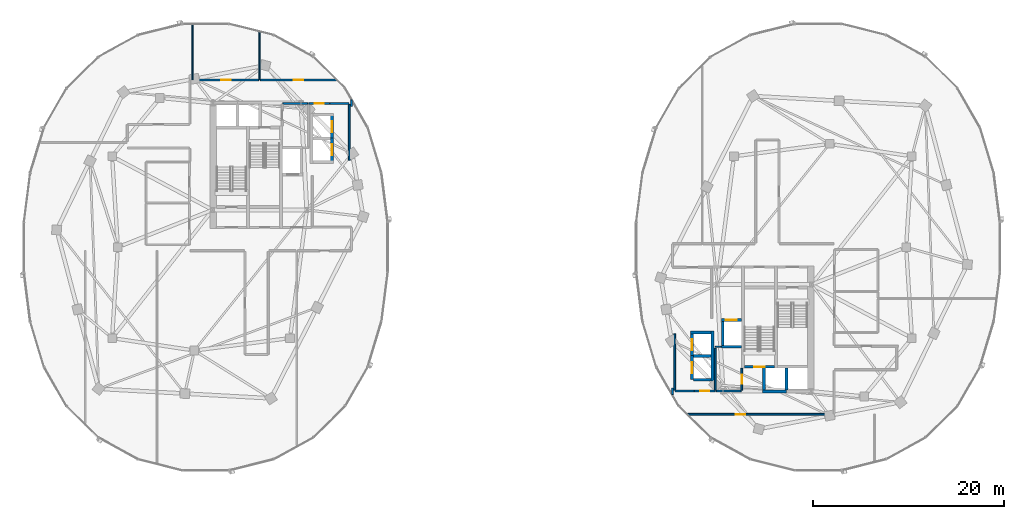
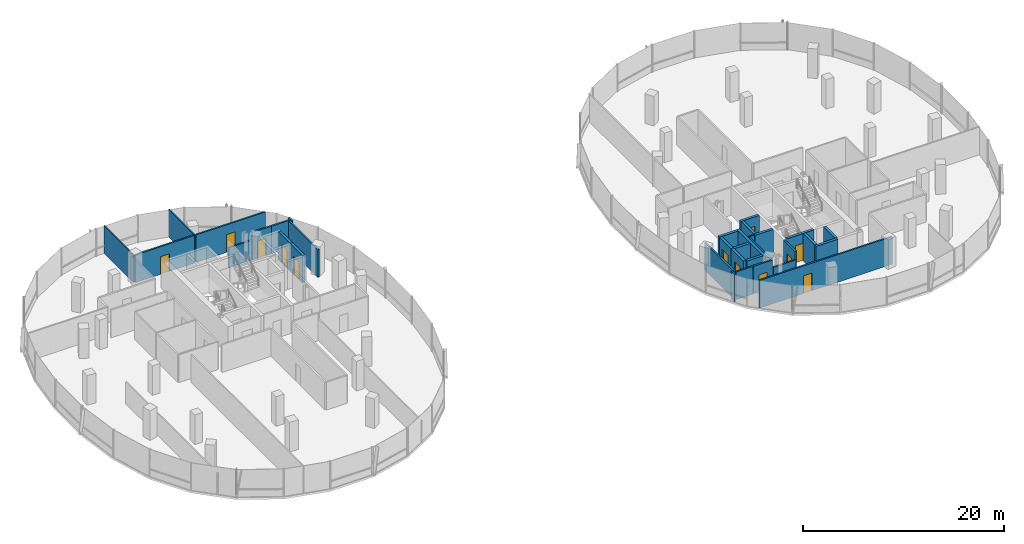
# One storey, part 13 of 22: 33 walls, 12 doors, 12 openings.
"""IFC4 building model written with IfcOpenShell, lengths in metres."""

from ifc_helpers import new_model, si_unit, direction, frame, frame_2d, origin, place, context, subcontext, project, spatial, rectangle, extrude, material, layer, layer_set, type_object, element, fill, save


model = new_model("IFC4")

# Units and contexts
model_context = context("Model", 3, precision=1e-05, world=origin(), true_north=direction((0.0, 1.0)))
body_context = subcontext(model_context, "Body", "Model", "MODEL_VIEW")
ifc_project = project(units=[si_unit("LENGTHUNIT", "METRE"), si_unit("AREAUNIT", "SQUARE_METRE"), si_unit("VOLUMEUNIT", "CUBIC_METRE"), si_unit("PLANEANGLEUNIT", "RADIAN"), si_unit("MASSUNIT", "GRAM", prefix="KILO"), si_unit("THERMODYNAMICTEMPERATUREUNIT", "KELVIN"), si_unit("POWERUNIT", "WATT")], contexts=[model_context])

# Site, building, storey
site_placement = place(None, origin())
site = spatial("IfcSite", under=ifc_project, at=site_placement, CompositionType="ELEMENT")
building_placement = place(site_placement, origin())
building = spatial("IfcBuilding", under=site, at=building_placement, Name="Cundina Bronze Exchange", CompositionType="ELEMENT")
storey_placement = place(building_placement, frame((0.0, 0.0, 136.800048828125)))
storey = spatial("IfcBuildingStorey", under=building, at=storey_placement, Name="L35", CompositionType="ELEMENT", Elevation=136.800048828125)

# Wall
ifc_material_1 = material(Name="Gypsum Fireboard Partition EI120")
ifc_layer_1 = layer(ifc_material_1, 0.179931640625, Name="Gypsum Fireboard Partition EI120")
ifc_layer_set_1 = layer_set([ifc_layer_1], Name="Gypsum Fireboard Partition EI120")
wall_type_1 = type_object("IfcWallType", Name="WL-COR-180", PredefinedType="PARTITIONING", material=ifc_layer_set_1)
wall_1_placement = place(storey_placement, frame((-17.02001953125, 9.070068359375, 0.0), z_axis=(0.0, 0.0, 1.0), x_axis=(0.0, 1.0, 0.0)))
element("IfcWall", 1, at=wall_1_placement, inside=storey, type_object=wall_type_1, Name="L35 Interior Partition 001", PredefinedType="PARTITIONING", context=body_context, shape_type="SweptSolid", body=[
    extrude(rectangle(XDim=5.85986328125, YDim=0.179931640625, at=frame_2d((2.929931640625, 0.0))), origin(), (0.0, 0.0, 1.0), 3.35986328125),
])

# Wall, opening, door
wall_2_placement = place(storey_placement, frame((-21.22998046875, 15.030029296875, 0.0), z_axis=(0.0, 0.0, 1.0), x_axis=(1.0, 0.0, 0.0)))
wall_2 = element("IfcWall", 2, at=wall_2_placement, inside=storey, type_object=wall_type_1, Name="L35 Interior Partition 002", PredefinedType="PARTITIONING", context=body_context, shape_type="SweptSolid", body=[
    extrude(rectangle(XDim=2.159912109375, YDim=0.179931640625, at=frame_2d((1.080078125, 0.0))), origin(), (0.0, 0.0, 1.0), 3.35986328125),
])
opening_1_placement = place(wall_2_placement, frame((0.60498046875, 0.0, 0.0)))
opening_1 = element("IfcOpeningElement", 3, at=opening_1_placement, cuts=wall_2, Name="Opening DW-01", PredefinedType="OPENING", context=body_context, shape_type="SweptSolid", body=[
    extrude(rectangle(XDim=0.949951171875, YDim=2.10009765625, at=frame_2d((0.47509765625, 1.050048828125))), frame((0.0, 0.099853515625, 0.0), z_axis=(0.0, -1.0, 0.0), x_axis=(1.0, 0.0, 0.0)), (0.0, 0.0, 1.0), 0.199951171875),
])
ifc_material_2 = material(Name="Solid Andean Oak Timber Grade A", Category="wood")
door_type_1 = type_object("IfcDoorType", Name="DR-WC-950", OperationType="NOTDEFINED", PredefinedType="DOOR", material=ifc_material_2)
door_1_placement = place(opening_1_placement, origin())
door_1 = element("IfcDoor", 4, at=door_1_placement, inside=storey, type_object=door_type_1, Name="L35 Interior Door 002", OperationType="SINGLE_SWING_RIGHT", OverallHeight=2.10009765625, OverallWidth=0.949951171875, PredefinedType="DOOR", context=body_context, shape_type="SweptSolid", body=[
    extrude(rectangle(XDim=0.949951171875, YDim=2.10009765625, at=frame_2d((0.47509765625, 1.050048828125))), frame((0.0, 0.02490234375, 0.0), z_axis=(0.0, -1.0, 0.0), x_axis=(1.0, 0.0, 0.0)), (0.0, 0.0, 1.0), 0.050048828125),
])
fill(opening_1, door_1)

# Walls
wall_3_placement = place(storey_placement, frame((-19.030029296875, 15.030029296875, 0.0), z_axis=(0.0, 0.0, 1.0), x_axis=(1.0, 0.0, 0.0)))
element("IfcWall", 5, at=wall_3_placement, inside=storey, type_object=wall_type_1, Name="L35 Interior Partition 003", PredefinedType="PARTITIONING", context=body_context, shape_type="SweptSolid", body=[
    extrude(rectangle(XDim=1.989990234375, YDim=0.179931640625, at=frame_2d((0.9951171875, 0.0))), origin(), (0.0, 0.0, 1.0), 3.35986328125),
])
wall_4_placement = place(storey_placement, frame((-23.9599609375, 15.030029296875, 0.0), z_axis=(0.0, 0.0, 1.0), x_axis=(1.0, 0.0, 0.0)))
element("IfcWall", 6, at=wall_4_placement, inside=storey, type_object=wall_type_1, Name="L35 Interior Partition 006", PredefinedType="PARTITIONING", context=body_context, shape_type="SweptSolid", body=[
    extrude(rectangle(XDim=2.60986328125, YDim=0.179931640625, at=frame_2d((1.304931640625, 0.0))), origin(), (0.0, 0.0, 1.0), 2.432861328125),
])
wall_5_placement = place(storey_placement, frame((-16.780029296875, 14.721435546875, 0.0), z_axis=(0.0, 0.0, 1.0), x_axis=(0.0, 1.0, 0.0)))
element("IfcWall", 7, at=wall_5_placement, inside=storey, type_object=wall_type_1, Name="L35 Interior Partition 032", PredefinedType="PARTITIONING", context=body_context, shape_type="SweptSolid", body=[
    extrude(rectangle(XDim=0.68359375, YDim=0.179931640625, at=frame_2d((0.341796875, 0.0))), origin(), (0.0, 0.0, 1.0), 3.35986328125),
])

# Wall, opening, door
wall_6_placement = place(storey_placement, frame((-18.341796875, 17.469970703125, 0.0), z_axis=(0.0, 0.0, 1.0), x_axis=(-1.0, 0.0, 0.0)))
wall_6 = element("IfcWall", 8, at=wall_6_placement, inside=storey, type_object=wall_type_1, Name="L35 Interior Partition 036", PredefinedType="PARTITIONING", context=body_context, shape_type="SweptSolid", body=[
    extrude(rectangle(XDim=7.96826171875, YDim=0.179931640625, at=frame_2d((3.984130859375, 0.0))), origin(), (0.0, 0.0, 1.0), 3.35986328125),
])
opening_2_placement = place(wall_6_placement, frame((3.484130859375, 0.0, 0.0)))
opening_2 = element("IfcOpeningElement", 9, at=opening_2_placement, cuts=wall_6, Name="Opening DO-01", PredefinedType="OPENING", context=body_context, shape_type="SweptSolid", body=[
    extrude(rectangle(XDim=1.0, YDim=2.14990234375, at=frame_2d((0.5, 1.074951171875))), frame((0.0, 0.099853515625, 0.0), z_axis=(0.0, -1.0, 0.0), x_axis=(1.0, 0.0, 0.0)), (0.0, 0.0, 1.0), 0.199951171875),
])
door_type_2 = type_object("IfcDoorType", Name="DR-OFF-1000", OperationType="NOTDEFINED", PredefinedType="DOOR", material=ifc_material_2)
door_2_placement = place(opening_2_placement, origin())
door_2 = element("IfcDoor", 10, at=door_2_placement, inside=storey, type_object=door_type_2, Name="L35 Interior Door 036", OperationType="SINGLE_SWING_RIGHT", OverallHeight=2.14990234375, OverallWidth=1.0, PredefinedType="DOOR", context=body_context, shape_type="SweptSolid", body=[
    extrude(rectangle(XDim=1.0, YDim=2.14990234375, at=frame_2d((0.5, 1.074951171875))), frame((0.0, 0.02490234375, 0.0), z_axis=(0.0, -1.0, 0.0), x_axis=(1.0, 0.0, 0.0)), (0.0, 0.0, 1.0), 0.050048828125),
])
fill(opening_2, door_2)

wall_7_placement = place(storey_placement, frame((-26.489990234375, 17.469970703125, 0.0), z_axis=(0.0, 0.0, 1.0), x_axis=(-1.0, 0.0, 0.0)))
wall_7 = element("IfcWall", 11, at=wall_7_placement, inside=storey, type_object=wall_type_1, Name="L35 Interior Partition 037", PredefinedType="PARTITIONING", context=body_context, shape_type="SweptSolid", body=[
    extrude(rectangle(XDim=6.820068359375, YDim=0.179931640625, at=frame_2d((3.41015625, 0.0))), origin(), (0.0, 0.0, 1.0), 3.35986328125),
])
opening_3_placement = place(wall_7_placement, frame((2.909912109375, 0.0, 0.0)))
opening_3 = element("IfcOpeningElement", 12, at=opening_3_placement, cuts=wall_7, Name="Opening DO-01", PredefinedType="OPENING", context=body_context, shape_type="SweptSolid", body=[
    extrude(rectangle(XDim=1.0, YDim=2.14990234375, at=frame_2d((0.5, 1.074951171875))), frame((0.0, 0.099853515625, 0.0), z_axis=(0.0, -1.0, 0.0), x_axis=(1.0, 0.0, 0.0)), (0.0, 0.0, 1.0), 0.199951171875),
])
door_3_placement = place(opening_3_placement, origin())
door_3 = element("IfcDoor", 13, at=door_3_placement, inside=storey, type_object=door_type_2, Name="L35 Interior Door 037", OperationType="SINGLE_SWING_LEFT", OverallHeight=2.14990234375, OverallWidth=1.0, PredefinedType="DOOR", context=body_context, shape_type="SweptSolid", body=[
    extrude(rectangle(XDim=1.0, YDim=2.14990234375, at=frame_2d((0.5, 1.074951171875))), frame((0.0, 0.02490234375, 0.0), z_axis=(0.0, -1.0, 0.0), x_axis=(1.0, 0.0, 0.0)), (0.0, 0.0, 1.0), 0.050048828125),
])
fill(opening_3, door_3)

# Walls
wall_8_placement = place(storey_placement, frame((17.02001953125, -14.929931640625, 0.0), z_axis=(0.0, 0.0, 1.0), x_axis=(0.0, 1.0, 0.0)))
element("IfcWall", 14, at=wall_8_placement, inside=storey, type_object=wall_type_1, Name="L35 Interior Partition 038", PredefinedType="PARTITIONING", context=body_context, shape_type="SweptSolid", body=[
    extrude(rectangle(XDim=5.85986328125, YDim=0.179931640625, at=frame_2d((2.929931640625, 0.0))), origin(), (0.0, 0.0, 1.0), 3.35986328125),
])
wall_9_placement = place(storey_placement, frame((17.0400390625, -15.030029296875, 0.0), z_axis=(0.0, 0.0, 1.0), x_axis=(1.0, 0.0, 0.0)))
element("IfcWall", 15, at=wall_9_placement, inside=storey, type_object=wall_type_1, Name="L35 Interior Partition 039", PredefinedType="PARTITIONING", context=body_context, shape_type="SweptSolid", body=[
    extrude(rectangle(XDim=1.989990234375, YDim=0.179931640625, at=frame_2d((0.9951171875, 0.0))), origin(), (0.0, 0.0, 1.0), 3.35986328125),
])

# Wall, opening, door
wall_10_placement = place(storey_placement, frame((21.22998046875, -15.030029296875, 0.0), z_axis=(0.0, 0.0, 1.0), x_axis=(-1.0, 0.0, 0.0)))
wall_10 = element("IfcWall", 16, at=wall_10_placement, inside=storey, type_object=wall_type_1, Name="L35 Interior Partition 040", PredefinedType="PARTITIONING", context=body_context, shape_type="SweptSolid", body=[
    extrude(rectangle(XDim=2.159912109375, YDim=0.179931640625, at=frame_2d((1.080078125, 0.0))), origin(), (0.0, 0.0, 1.0), 3.35986328125),
])
opening_4_placement = place(wall_10_placement, frame((0.60498046875, 0.0, 0.0)))
opening_4 = element("IfcOpeningElement", 17, at=opening_4_placement, cuts=wall_10, Name="Opening DW-01", PredefinedType="OPENING", context=body_context, shape_type="SweptSolid", body=[
    extrude(rectangle(XDim=0.949951171875, YDim=2.10009765625, at=frame_2d((0.47509765625, 1.050048828125))), frame((0.0, 0.099853515625, 0.0), z_axis=(0.0, -1.0, 0.0), x_axis=(1.0, 0.0, 0.0)), (0.0, 0.0, 1.0), 0.199951171875),
])
door_4_placement = place(opening_4_placement, origin())
door_4 = element("IfcDoor", 18, at=door_4_placement, inside=storey, type_object=door_type_1, Name="L35 Interior Door 040", OperationType="SINGLE_SWING_LEFT", OverallHeight=2.10009765625, OverallWidth=0.949951171875, PredefinedType="DOOR", context=body_context, shape_type="SweptSolid", body=[
    extrude(rectangle(XDim=0.949951171875, YDim=2.10009765625, at=frame_2d((0.47509765625, 1.050048828125))), frame((0.0, 0.02490234375, 0.0), z_axis=(0.0, -1.0, 0.0), x_axis=(1.0, 0.0, 0.0)), (0.0, 0.0, 1.0), 0.050048828125),
])
fill(opening_4, door_4)

# Walls
wall_11_placement = place(storey_placement, frame((21.25, -14.929931640625, 0.0), z_axis=(0.0, 0.0, 1.0), x_axis=(0.0, 1.0, 0.0)))
element("IfcWall", 19, at=wall_11_placement, inside=storey, type_object=wall_type_1, Name="L35 Interior Partition 042", PredefinedType="PARTITIONING", context=body_context, shape_type="SweptSolid", body=[
    extrude(rectangle(XDim=4.35986328125, YDim=0.179931640625, at=frame_2d((2.179931640625, 0.0))), origin(), (0.0, 0.0, 1.0), 3.35986328125),
])
wall_12_placement = place(storey_placement, frame((21.35009765625, -15.030029296875, 0.0), z_axis=(0.0, 0.0, 1.0), x_axis=(1.0, 0.0, 0.0)))
element("IfcWall", 20, at=wall_12_placement, inside=storey, type_object=wall_type_1, Name="L35 Interior Partition 043", PredefinedType="PARTITIONING", context=body_context, shape_type="SweptSolid", body=[
    extrude(rectangle(XDim=2.60986328125, YDim=0.179931640625, at=frame_2d((1.304931640625, 0.0))), origin(), (0.0, 0.0, 1.0), 2.432861328125),
])

# Wall, opening, door
wall_13_placement = place(storey_placement, frame((24.02001953125, -14.929931640625, 0.0), z_axis=(0.0, 0.0, 1.0), x_axis=(0.0, 1.0, 0.0)))
wall_13 = element("IfcWall", 21, at=wall_13_placement, inside=storey, type_object=wall_type_1, Name="L35 Interior Partition 045", PredefinedType="PARTITIONING", context=body_context, shape_type="SweptSolid", body=[
    extrude(rectangle(XDim=2.260009765625, YDim=0.179931640625, at=frame_2d((1.1298828125, 0.0))), origin(), (0.0, 0.0, 1.0), 3.35986328125),
])
opening_5_placement = place(wall_13_placement, frame((0.655029296875, 0.0, 0.0)))
opening_5 = element("IfcOpeningElement", 22, at=opening_5_placement, cuts=wall_13, Name="Opening DW-01", PredefinedType="OPENING", context=body_context, shape_type="SweptSolid", body=[
    extrude(rectangle(XDim=0.949951171875, YDim=2.10009765625, at=frame_2d((0.47509765625, 1.050048828125))), frame((0.0, 0.099853515625, 0.0), z_axis=(0.0, -1.0, 0.0), x_axis=(1.0, 0.0, 0.0)), (0.0, 0.0, 1.0), 0.199951171875),
])
door_5_placement = place(opening_5_placement, origin())
door_5 = element("IfcDoor", 23, at=door_5_placement, inside=storey, type_object=door_type_1, Name="L35 Interior Door 045", OperationType="SINGLE_SWING_LEFT", OverallHeight=2.10009765625, OverallWidth=0.949951171875, PredefinedType="DOOR", context=body_context, shape_type="SweptSolid", body=[
    extrude(rectangle(XDim=0.949951171875, YDim=2.10009765625, at=frame_2d((0.47509765625, 1.050048828125))), frame((0.0, 0.02490234375, 0.0), z_axis=(0.0, -1.0, 0.0), x_axis=(1.0, 0.0, 0.0)), (0.0, 0.0, 1.0), 0.050048828125),
])
fill(opening_5, door_5)

wall_14_placement = place(storey_placement, frame((18.341796875, -17.469970703125, 0.0), z_axis=(0.0, 0.0, 1.0), x_axis=(1.0, 0.0, 0.0)))
wall_14 = element("IfcWall", 24, at=wall_14_placement, inside=storey, type_object=wall_type_1, Name="L35 Interior Partition 057", PredefinedType="PARTITIONING", context=body_context, shape_type="SweptSolid", body=[
    extrude(rectangle(XDim=15.28662109375, YDim=0.179931640625, at=frame_2d((7.643310546875, 0.0))), origin(), (0.0, 0.0, 1.0), 3.35986328125),
])
opening_6_placement = place(wall_14_placement, frame((5.036376953125, 0.0, 0.0)))
opening_6 = element("IfcOpeningElement", 25, at=opening_6_placement, cuts=wall_14, Name="Opening DO-01", PredefinedType="OPENING", context=body_context, shape_type="SweptSolid", body=[
    extrude(rectangle(XDim=1.0, YDim=2.14990234375, at=frame_2d((0.5, 1.074951171875))), frame((0.0, 0.099853515625, 0.0), z_axis=(0.0, -1.0, 0.0), x_axis=(1.0, 0.0, 0.0)), (0.0, 0.0, 1.0), 0.199951171875),
])
door_6_placement = place(opening_6_placement, origin())
door_6 = element("IfcDoor", 26, at=door_6_placement, inside=storey, type_object=door_type_2, Name="L35 Interior Door 057", OperationType="SINGLE_SWING_LEFT", OverallHeight=2.14990234375, OverallWidth=1.0, PredefinedType="DOOR", context=body_context, shape_type="SweptSolid", body=[
    extrude(rectangle(XDim=1.0, YDim=2.14990234375, at=frame_2d((0.5, 1.074951171875))), frame((0.0, 0.02490234375, 0.0), z_axis=(0.0, -1.0, 0.0), x_axis=(1.0, 0.0, 0.0)), (0.0, 0.0, 1.0), 0.050048828125),
])
fill(opening_6, door_6)

# Walls
wall_15_placement = place(storey_placement, frame((16.780029296875, -14.721435546875, 0.0), z_axis=(0.0, 0.0, 1.0), x_axis=(0.0, -1.0, 0.0)))
element("IfcWall", 27, at=wall_15_placement, inside=storey, type_object=wall_type_1, Name="L35 Interior Partition 066", PredefinedType="PARTITIONING", context=body_context, shape_type="SweptSolid", body=[
    extrude(rectangle(XDim=0.68359375, YDim=0.179931640625, at=frame_2d((0.341796875, 0.0))), origin(), (0.0, 0.0, 1.0), 3.35986328125),
])
ifc_material_3 = material(Name="Gypsum Acoustic Partition EI60")
ifc_layer_2 = layer(ifc_material_3, 0.125, Name="Gypsum Acoustic Partition EI60")
ifc_layer_set_2 = layer_set([ifc_layer_2], Name="Gypsum Acoustic Partition EI60")
wall_type_2 = type_object("IfcWallType", Name="WL-OFF-125", PredefinedType="PARTITIONING", material=ifc_layer_set_2)
wall_16_placement = place(storey_placement, frame((-33.39990234375, 17.5, 0.0), z_axis=(0.0, 0.0, 1.0), x_axis=(0.0, 1.0, 0.0)))
element("IfcWall", 28, at=wall_16_placement, inside=storey, type_object=wall_type_2, Name="L35 Interior Partition 020", PredefinedType="PARTITIONING", context=body_context, shape_type="SweptSolid", body=[
    extrude(rectangle(XDim=5.902099609375, YDim=0.125, at=frame_2d((2.951171875, 0.0))), origin(), (0.0, 0.0, 1.0), 3.35986328125),
])
wall_17_placement = place(storey_placement, frame((-26.39990234375, 17.5, 0.0), z_axis=(0.0, 0.0, 1.0), x_axis=(0.0, 1.0, 0.0)))
element("IfcWall", 29, at=wall_17_placement, inside=storey, type_object=wall_type_2, Name="L35 Interior Partition 021", PredefinedType="PARTITIONING", context=body_context, shape_type="SweptSolid", body=[
    extrude(rectangle(XDim=5.111083984375, YDim=0.125, at=frame_2d((2.5556640625, 0.0))), origin(), (0.0, 0.0, 1.0), 3.35986328125),
])

# Wall, opening, door
ifc_material_4 = material(Name="Concrete C50/60", Category="concrete")
ifc_layer_3 = layer(ifc_material_4, 0.300048828125, Name="Concrete C50/60", Category="concrete")
ifc_layer_set_3 = layer_set([ifc_layer_3], Name="Concrete C50/60")
wall_type_3 = type_object("IfcWallType", Name="WL-SHFT-300", PredefinedType="SHEAR", material=ifc_layer_set_3)
wall_18_placement = place(storey_placement, frame((-18.800048828125, 8.929931640625, 0.0), z_axis=(0.0, 0.0, 1.0), x_axis=(0.0, 1.0, 0.0)))
wall_18 = element("IfcWall", 30, at=wall_18_placement, inside=storey, type_object=wall_type_3, Name="L35 PM-W2 Hoistway Front Wall", PredefinedType="SHEAR", context=body_context, shape_type="SweptSolid", body=[
    extrude(rectangle(XDim=2.489990234375, YDim=0.300048828125, at=frame_2d((1.2451171875, 0.0))), origin(), (0.0, 0.0, 1.0), 3.35986328125),
])
opening_7_placement = place(wall_18_placement, frame((0.669921875, 0.0, 0.0)))
opening_7 = element("IfcOpeningElement", 31, at=opening_7_placement, cuts=wall_18, Name="Opening LD-01", PredefinedType="OPENING", context=body_context, shape_type="SweptSolid", body=[
    extrude(rectangle(XDim=1.14990234375, YDim=2.199951171875, at=frame_2d((0.574951171875, 1.10009765625))), frame((0.0, 0.159912109375, 0.0), z_axis=(0.0, -1.0, 0.0), x_axis=(1.0, 0.0, 0.0)), (0.0, 0.0, 1.0), 0.320068359375),
])
ifc_material_5 = material(Name="Steel ASTM A36 Painted", Category="steel")
door_type_3 = type_object("IfcDoorType", Name="DR-LND-1150", OperationType="NOTDEFINED", PredefinedType="TRAPDOOR", material=ifc_material_5)
door_7_placement = place(opening_7_placement, origin())
door_7 = element("IfcDoor", 32, at=door_7_placement, inside=storey, type_object=door_type_3, Name="L35 PM-W2 Sliding Landing Door", OperationType="SLIDING_TO_LEFT", OverallHeight=2.199951171875, OverallWidth=1.14990234375, PredefinedType="TRAPDOOR", context=body_context, shape_type="SweptSolid", body=[
    extrude(rectangle(XDim=1.14990234375, YDim=2.199951171875, at=frame_2d((0.574951171875, 1.10009765625))), frame((0.0, 0.02490234375, 0.0), z_axis=(0.0, -1.0, 0.0), x_axis=(1.0, 0.0, 0.0)), (0.0, 0.0, 1.0), 0.050048828125),
])
fill(opening_7, door_7)

wall_19_placement = place(storey_placement, frame((-18.800048828125, 11.330078125, 0.0), z_axis=(0.0, 0.0, 1.0), x_axis=(0.0, 1.0, 0.0)))
wall_19 = element("IfcWall", 33, at=wall_19_placement, inside=storey, type_object=wall_type_3, Name="L35 PM-W1 Hoistway Front Wall", PredefinedType="SHEAR", context=body_context, shape_type="SweptSolid", body=[
    extrude(rectangle(XDim=2.489990234375, YDim=0.300048828125, at=frame_2d((1.2451171875, 0.0))), origin(), (0.0, 0.0, 1.0), 3.35986328125),
])
opening_8_placement = place(wall_19_placement, frame((0.669921875, 0.0, 0.0)))
opening_8 = element("IfcOpeningElement", 34, at=opening_8_placement, cuts=wall_19, Name="Opening LD-01", PredefinedType="OPENING", context=body_context, shape_type="SweptSolid", body=[
    extrude(rectangle(XDim=1.14990234375, YDim=2.199951171875, at=frame_2d((0.574951171875, 1.10009765625))), frame((0.0, 0.159912109375, 0.0), z_axis=(0.0, -1.0, 0.0), x_axis=(1.0, 0.0, 0.0)), (0.0, 0.0, 1.0), 0.320068359375),
])
door_8_placement = place(opening_8_placement, origin())
door_8 = element("IfcDoor", 35, at=door_8_placement, inside=storey, type_object=door_type_3, Name="L35 PM-W1 Sliding Landing Door", OperationType="SLIDING_TO_LEFT", OverallHeight=2.199951171875, OverallWidth=1.14990234375, PredefinedType="TRAPDOOR", context=body_context, shape_type="SweptSolid", body=[
    extrude(rectangle(XDim=1.14990234375, YDim=2.199951171875, at=frame_2d((0.574951171875, 1.10009765625))), frame((0.0, 0.02490234375, 0.0), z_axis=(0.0, -1.0, 0.0), x_axis=(1.0, 0.0, 0.0)), (0.0, 0.0, 1.0), 0.050048828125),
])
fill(opening_8, door_8)

wall_20_placement = place(storey_placement, frame((24.280029296875, -12.5, 0.0), z_axis=(0.0, 0.0, 1.0), x_axis=(1.0, 0.0, 0.0)))
wall_20 = element("IfcWall", 36, at=wall_20_placement, inside=storey, type_object=wall_type_3, Name="L35 Stair E2 Landing Wall", PredefinedType="SHEAR", context=body_context, shape_type="SweptSolid", body=[
    extrude(rectangle(XDim=3.159912109375, YDim=0.300048828125, at=frame_2d((1.580078125, 0.0))), origin(), (0.0, 0.0, 1.0), 3.35986328125),
])
opening_9_placement = place(wall_20_placement, frame((1.030029296875, 0.0, 0.0)))
opening_9 = element("IfcOpeningElement", 37, at=opening_9_placement, cuts=wall_20, Name="Opening DS-01", PredefinedType="OPENING", context=body_context, shape_type="SweptSolid", body=[
    extrude(rectangle(XDim=1.10009765625, YDim=2.14990234375, at=frame_2d((0.550048828125, 1.074951171875))), frame((0.0, 0.159912109375, 0.0), z_axis=(0.0, -1.0, 0.0), x_axis=(1.0, 0.0, 0.0)), (0.0, 0.0, 1.0), 0.320068359375),
])
door_type_4 = type_object("IfcDoorType", Name="DR-STR-1100", OperationType="NOTDEFINED", PredefinedType="DOOR", material=ifc_material_5)
door_9_placement = place(opening_9_placement, origin())
door_9 = element("IfcDoor", 38, at=door_9_placement, inside=storey, type_object=door_type_4, Name="L35 Smokeproof Stair E2 Door", OperationType="SINGLE_SWING_RIGHT", OverallHeight=2.14990234375, OverallWidth=1.10009765625, PredefinedType="DOOR", context=body_context, shape_type="SweptSolid", body=[
    extrude(rectangle(XDim=1.10009765625, YDim=2.14990234375, at=frame_2d((0.550048828125, 1.074951171875))), frame((0.0, 0.02490234375, 0.0), z_axis=(0.0, -1.0, 0.0), x_axis=(1.0, 0.0, 0.0)), (0.0, 0.0, 1.0), 0.050048828125),
])
fill(opening_9, door_9)

wall_21_placement = place(storey_placement, frame((21.8798828125, -7.60009765625, 0.0), z_axis=(0.0, 0.0, 1.0), x_axis=(1.0, 0.0, 0.0)))
wall_21 = element("IfcWall", 39, at=wall_21_placement, inside=storey, type_object=wall_type_3, Name="L35 FFL-E Hoistway Front Wall", PredefinedType="SHEAR", context=body_context, shape_type="SweptSolid", body=[
    extrude(rectangle(XDim=2.10009765625, YDim=0.300048828125, at=frame_2d((1.050048828125, 0.0))), origin(), (0.0, 0.0, 1.0), 3.35986328125),
])
opening_10_placement = place(wall_21_placement, frame((0.47509765625, 0.0, 0.0)))
opening_10 = element("IfcOpeningElement", 40, at=opening_10_placement, cuts=wall_21, Name="Opening LD-01", PredefinedType="OPENING", context=body_context, shape_type="SweptSolid", body=[
    extrude(rectangle(XDim=1.14990234375, YDim=2.199951171875, at=frame_2d((0.574951171875, 1.10009765625))), frame((0.0, 0.159912109375, 0.0), z_axis=(0.0, -1.0, 0.0), x_axis=(1.0, 0.0, 0.0)), (0.0, 0.0, 1.0), 0.320068359375),
])
door_10_placement = place(opening_10_placement, origin())
door_10 = element("IfcDoor", 41, at=door_10_placement, inside=storey, type_object=door_type_3, Name="L35 FFL-E Sliding Landing Door", OperationType="SLIDING_TO_LEFT", OverallHeight=2.199951171875, OverallWidth=1.14990234375, PredefinedType="TRAPDOOR", context=body_context, shape_type="SweptSolid", body=[
    extrude(rectangle(XDim=1.14990234375, YDim=2.199951171875, at=frame_2d((0.574951171875, 1.10009765625))), frame((0.0, 0.02490234375, 0.0), z_axis=(0.0, -1.0, 0.0), x_axis=(1.0, 0.0, 0.0)), (0.0, 0.0, 1.0), 0.050048828125),
])
fill(opening_10, door_10)

# Walls
wall_22_placement = place(storey_placement, frame((21.8798828125, -10.39990234375, 0.0), z_axis=(0.0, 0.0, 1.0), x_axis=(1.0, 0.0, 0.0)))
element("IfcWall", 42, at=wall_22_placement, inside=storey, type_object=wall_type_3, Name="L35 FFL-E Hoistway Back Wall", PredefinedType="SHEAR", context=body_context, shape_type="SweptSolid", body=[
    extrude(rectangle(XDim=2.10009765625, YDim=0.300048828125, at=frame_2d((1.050048828125, 0.0))), origin(), (0.0, 0.0, 1.0), 3.35986328125),
])
wall_23_placement = place(storey_placement, frame((22.030029296875, -10.25, 0.0), z_axis=(0.0, 0.0, 1.0), x_axis=(0.0, 1.0, 0.0)))
element("IfcWall", 43, at=wall_23_placement, inside=storey, type_object=wall_type_3, Name="L35 FFL-E Hoistway Side Wall", PredefinedType="SHEAR", context=body_context, shape_type="SweptSolid", body=[
    extrude(rectangle(XDim=2.5, YDim=0.300048828125, at=frame_2d((1.25, 0.0))), origin(), (0.0, 0.0, 1.0), 3.35986328125),
])
wall_24_placement = place(storey_placement, frame((28.699951171875, -14.949951171875, 0.0), z_axis=(0.0, 0.0, 1.0), x_axis=(0.0, 1.0, 0.0)))
element("IfcWall", 44, at=wall_24_placement, inside=storey, type_object=wall_type_3, Name="L35 PH-E1 Hoistway Divider Wall", PredefinedType="SHEAR", context=body_context, shape_type="SweptSolid", body=[
    extrude(rectangle(XDim=2.300048828125, YDim=0.300048828125, at=frame_2d((1.14990234375, 0.0))), origin(), (0.0, 0.0, 1.0), 3.35986328125),
])
wall_25_placement = place(storey_placement, frame((26.199951171875, -15.10009765625, 0.0), z_axis=(0.0, 0.0, 1.0), x_axis=(1.0, 0.0, 0.0)))
element("IfcWall", 45, at=wall_25_placement, inside=storey, type_object=wall_type_3, Name="L35 PH-E2 Hoistway Front Wall", PredefinedType="SHEAR", context=body_context, shape_type="SweptSolid", body=[
    extrude(rectangle(XDim=2.5, YDim=0.300048828125, at=frame_2d((1.25, 0.0))), origin(), (0.0, 0.0, 1.0), 3.35986328125),
])
wall_26_placement = place(storey_placement, frame((26.35009765625, -14.949951171875, 0.0), z_axis=(0.0, 0.0, 1.0), x_axis=(0.0, 1.0, 0.0)))
element("IfcWall", 46, at=wall_26_placement, inside=storey, type_object=wall_type_3, Name="L35 PH-E2 Hoistway Divider Wall", PredefinedType="SHEAR", context=body_context, shape_type="SweptSolid", body=[
    extrude(rectangle(XDim=2.300048828125, YDim=0.300048828125, at=frame_2d((1.14990234375, 0.0))), origin(), (0.0, 0.0, 1.0), 3.35986328125),
])
wall_27_placement = place(storey_placement, frame((20.949951171875, -14.0, 0.0), z_axis=(0.0, 0.0, 1.0), x_axis=(0.0, 1.0, 0.0)))
element("IfcWall", 47, at=wall_27_placement, inside=storey, type_object=wall_type_3, Name="L35 E Passenger Bank Hoistway Back Wall", PredefinedType="SHEAR", context=body_context, shape_type="SweptSolid", body=[
    extrude(rectangle(XDim=5.25, YDim=0.300048828125, at=frame_2d((2.625, 0.0))), origin(), (0.0, 0.0, 1.0), 3.35986328125),
])
wall_28_placement = place(storey_placement, frame((18.949951171875, -13.85009765625, 0.0), z_axis=(0.0, 0.0, 1.0), x_axis=(1.0, 0.0, 0.0)))
element("IfcWall", 48, at=wall_28_placement, inside=storey, type_object=wall_type_3, Name="L35 E Passenger Bank South Cap Wall", PredefinedType="SHEAR", context=body_context, shape_type="SweptSolid", body=[
    extrude(rectangle(XDim=1.85009765625, YDim=0.300048828125, at=frame_2d((0.925048828125, 0.0))), origin(), (0.0, 0.0, 1.0), 3.35986328125),
])
wall_29_placement = place(storey_placement, frame((18.64990234375, -8.89990234375, 0.0), z_axis=(0.0, 0.0, 1.0), x_axis=(1.0, 0.0, 0.0)))
element("IfcWall", 49, at=wall_29_placement, inside=storey, type_object=wall_type_3, Name="L35 E Passenger Bank North Cap Wall", PredefinedType="SHEAR", context=body_context, shape_type="SweptSolid", body=[
    extrude(rectangle(XDim=2.150146484375, YDim=0.300048828125, at=frame_2d((1.0751953125, 0.0))), origin(), (0.0, 0.0, 1.0), 3.35986328125),
])
wall_30_placement = place(storey_placement, frame((18.949951171875, -11.375, 0.0), z_axis=(0.0, 0.0, 1.0), x_axis=(1.0, 0.0, 0.0)))
element("IfcWall", 50, at=wall_30_placement, inside=storey, type_object=wall_type_3, Name="L35 E Passenger Hoistway Divider 1", PredefinedType="SHEAR", context=body_context, shape_type="SweptSolid", body=[
    extrude(rectangle(XDim=1.85009765625, YDim=0.300048828125, at=frame_2d((0.925048828125, 0.0))), origin(), (0.0, 0.0, 1.0), 3.35986328125),
])

# Wall, opening, door
wall_31_placement = place(storey_placement, frame((18.800048828125, -13.820068359375, 0.0), z_axis=(0.0, 0.0, 1.0), x_axis=(0.0, 1.0, 0.0)))
wall_31 = element("IfcWall", 51, at=wall_31_placement, inside=storey, type_object=wall_type_3, Name="L35 PM-E1 Hoistway Front Wall", PredefinedType="SHEAR", context=body_context, shape_type="SweptSolid", body=[
    extrude(rectangle(XDim=2.489990234375, YDim=0.300048828125, at=frame_2d((1.2451171875, 0.0))), origin(), (0.0, 0.0, 1.0), 3.35986328125),
])
opening_11_placement = place(wall_31_placement, frame((0.669921875, 0.0, 0.0)))
opening_11 = element("IfcOpeningElement", 52, at=opening_11_placement, cuts=wall_31, Name="Opening LD-01", PredefinedType="OPENING", context=body_context, shape_type="SweptSolid", body=[
    extrude(rectangle(XDim=1.14990234375, YDim=2.199951171875, at=frame_2d((0.574951171875, 1.10009765625))), frame((0.0, 0.159912109375, 0.0), z_axis=(0.0, -1.0, 0.0), x_axis=(1.0, 0.0, 0.0)), (0.0, 0.0, 1.0), 0.320068359375),
])
door_11_placement = place(opening_11_placement, origin())
door_11 = element("IfcDoor", 53, at=door_11_placement, inside=storey, type_object=door_type_3, Name="L35 PM-E1 Sliding Landing Door", OperationType="SLIDING_TO_LEFT", OverallHeight=2.199951171875, OverallWidth=1.14990234375, PredefinedType="TRAPDOOR", context=body_context, shape_type="SweptSolid", body=[
    extrude(rectangle(XDim=1.14990234375, YDim=2.199951171875, at=frame_2d((0.574951171875, 1.10009765625))), frame((0.0, 0.02490234375, 0.0), z_axis=(0.0, -1.0, 0.0), x_axis=(1.0, 0.0, 0.0)), (0.0, 0.0, 1.0), 0.050048828125),
])
fill(opening_11, door_11)

wall_32_placement = place(storey_placement, frame((18.800048828125, -11.419921875, 0.0), z_axis=(0.0, 0.0, 1.0), x_axis=(0.0, 1.0, 0.0)))
wall_32 = element("IfcWall", 54, at=wall_32_placement, inside=storey, type_object=wall_type_3, Name="L35 PM-E2 Hoistway Front Wall", PredefinedType="SHEAR", context=body_context, shape_type="SweptSolid", body=[
    extrude(rectangle(XDim=2.489990234375, YDim=0.300048828125, at=frame_2d((1.2451171875, 0.0))), origin(), (0.0, 0.0, 1.0), 3.35986328125),
])
opening_12_placement = place(wall_32_placement, frame((0.669921875, 0.0, 0.0)))
opening_12 = element("IfcOpeningElement", 55, at=opening_12_placement, cuts=wall_32, Name="Opening LD-01", PredefinedType="OPENING", context=body_context, shape_type="SweptSolid", body=[
    extrude(rectangle(XDim=1.14990234375, YDim=2.199951171875, at=frame_2d((0.574951171875, 1.10009765625))), frame((0.0, 0.159912109375, 0.0), z_axis=(0.0, -1.0, 0.0), x_axis=(1.0, 0.0, 0.0)), (0.0, 0.0, 1.0), 0.320068359375),
])
door_12_placement = place(opening_12_placement, origin())
door_12 = element("IfcDoor", 56, at=door_12_placement, inside=storey, type_object=door_type_3, Name="L35 PM-E2 Sliding Landing Door", OperationType="SLIDING_TO_LEFT", OverallHeight=2.199951171875, OverallWidth=1.14990234375, PredefinedType="TRAPDOOR", context=body_context, shape_type="SweptSolid", body=[
    extrude(rectangle(XDim=1.14990234375, YDim=2.199951171875, at=frame_2d((0.574951171875, 1.10009765625))), frame((0.0, 0.02490234375, 0.0), z_axis=(0.0, -1.0, 0.0), x_axis=(1.0, 0.0, 0.0)), (0.0, 0.0, 1.0), 0.050048828125),
])
fill(opening_12, door_12)

# Wall
ifc_material_6 = material(Name="Moisture-Resistant Masonry Block Grade M15", Category="masonry")
ifc_layer_4 = layer(ifc_material_6, 0.139892578125, Name="Moisture-Resistant Masonry Block Grade M15", Category="masonry")
ifc_layer_set_4 = layer_set([ifc_layer_4], Name="Moisture-Resistant Masonry Block Grade M15")
wall_type_4 = type_object("IfcWallType", Name="WL-WET-140", PredefinedType="PARTITIONING", material=ifc_layer_set_4)
wall_33_placement = place(storey_placement, frame((21.27001953125, -10.39990234375, 0.0), z_axis=(0.0, 0.0, 1.0), x_axis=(1.0, 0.0, 0.0)))
element("IfcWall", 57, at=wall_33_placement, inside=storey, type_object=wall_type_4, Name="L35 Interior Partition 041", PredefinedType="PARTITIONING", context=body_context, shape_type="SweptSolid", body=[
    extrude(rectangle(XDim=0.590087890625, YDim=0.139892578125, at=frame_2d((0.294921875, 0.0))), origin(), (0.0, 0.0, 1.0), 3.35986328125),
])

save(model, "model.ifc")
